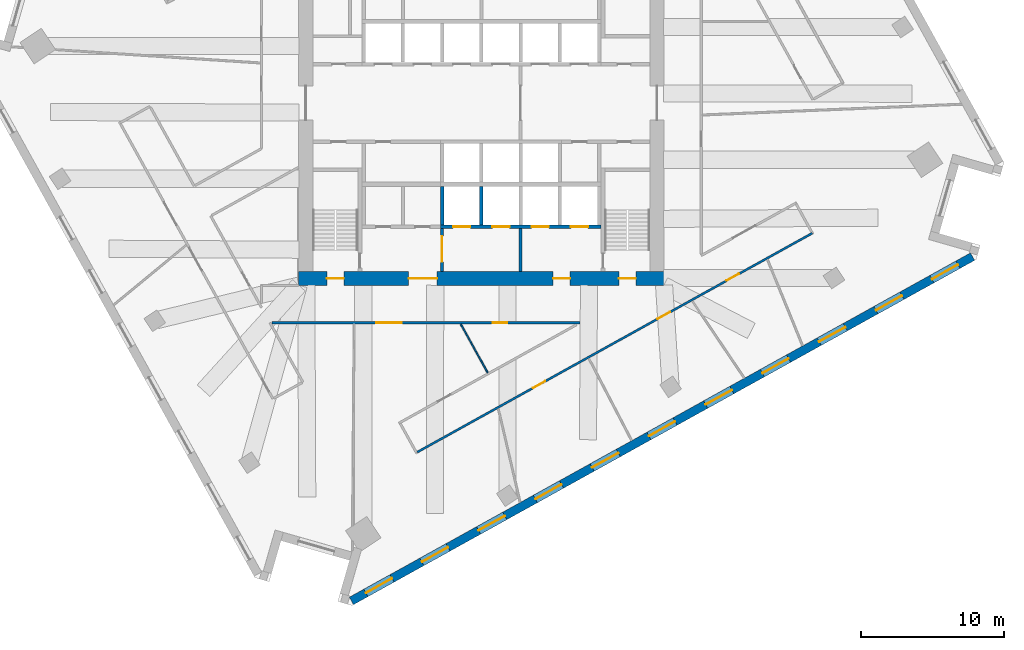
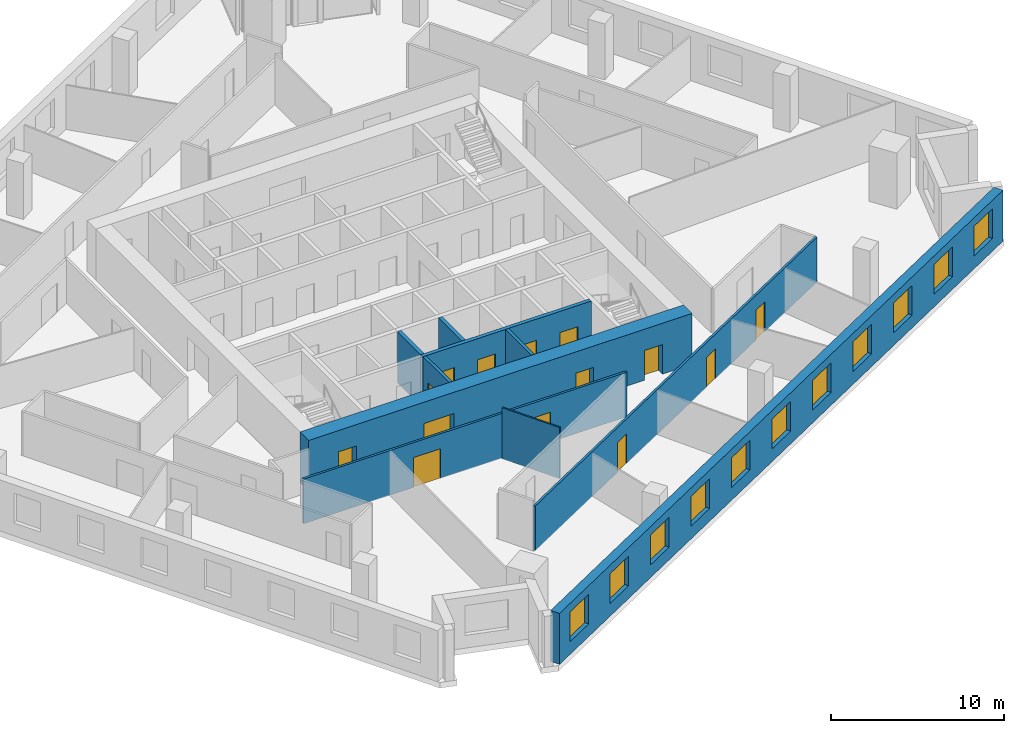
# One storey, part 5 of 11: 14 doors, 11 windows, 10 walls, 25 openings.
"""IFC4 building model written with IfcOpenShell, lengths in metres."""

from ifc_helpers import new_model, si_unit, direction, frame, frame_2d, origin, place, context, subcontext, project, spatial, rectangle, extrude, material, layer, layer_set, type_object, element, fill, save


model = new_model("IFC4")

# Units and contexts
model_context = context("Model", 3, precision=1e-05, world=origin(), true_north=direction((0.0, 1.0)))
body_context = subcontext(model_context, "Body", "Model", "MODEL_VIEW")
ifc_project = project(units=[si_unit("LENGTHUNIT", "METRE"), si_unit("AREAUNIT", "SQUARE_METRE"), si_unit("VOLUMEUNIT", "CUBIC_METRE"), si_unit("PLANEANGLEUNIT", "RADIAN"), si_unit("MASSUNIT", "GRAM", prefix="KILO")], contexts=[model_context])

# Site, building, storey
site_placement = place(None, origin())
site = spatial("IfcSite", under=ifc_project, at=site_placement, CompositionType="ELEMENT")
building_placement = place(site_placement, origin())
building = spatial("IfcBuilding", under=site, at=building_placement, Name="Dilmun Exchange Tower", CompositionType="ELEMENT")
storey_placement = place(building_placement, frame((0.0, 0.0, 135.699951171875)))
storey = spatial("IfcBuildingStorey", under=building, at=storey_placement, Name="L31", CompositionType="ELEMENT", Elevation=135.699951171875)

# Wall, opening, door
ifc_material_1 = material(Name="Concrete C40/50", Category="concrete")
ifc_layer_1 = layer(ifc_material_1, 0.199951171875)
ifc_layer_set_1 = layer_set([ifc_layer_1], Name="Concrete C40/50")
wall_type_1 = type_object("IfcWallType", Name="Core partition wall 200", PredefinedType="PARTITIONING", material=ifc_layer_set_1)
wall_1_placement = place(storey_placement, frame((-2.75, -11.794921875, 0.0), z_axis=(0.0, 0.0, 1.0), x_axis=(0.0, 1.0, 0.0)))
wall_1 = element("IfcWall", 1, at=wall_1_placement, inside=storey, type_object=wall_type_1, Name="L31 core partition wall 01", PredefinedType="PARTITIONING", context=body_context, shape_type="SweptSolid", body=[
    extrude(rectangle(XDim=2.989990234375, YDim=0.199951171875, at=frame_2d((1.4951171875, 0.0))), origin(), (0.0, 0.0, 1.0), 3.60009765625),
])
opening_1_placement = place(wall_1_placement, frame((0.657470703125, 0.0, 0.0)))
opening_1 = element("IfcOpeningElement", 2, at=opening_1_placement, cuts=wall_1, Name="Opening CD5", PredefinedType="OPENING", context=body_context, shape_type="SweptSolid", body=[
    extrude(rectangle(XDim=1.800048828125, YDim=2.10009765625, at=frame_2d((0.89990234375, 1.050048828125))), frame((0.0, 0.10986328125, 0.0), z_axis=(0.0, -1.0, 0.0), x_axis=(1.0, 0.0, 0.0)), (0.0, 0.0, 1.0), 0.219970703125),
])
ifc_material_2 = material(Name="Fire-rated steel door set", Category="steel")
door_type_1 = type_object("IfcDoorType", Name="Stair exit door 1800x2100", OperationType="SINGLE_SWING_LEFT", PredefinedType="DOOR", material=ifc_material_2)
door_1_placement = place(opening_1_placement, origin())
door_1 = element("IfcDoor", 3, at=door_1_placement, inside=storey, type_object=door_type_1, Name="L31 door Service lobby east", OperationType="SINGLE_SWING_LEFT", OverallHeight=2.10009765625, OverallWidth=1.800048828125, PredefinedType="DOOR", context=body_context, shape_type="SweptSolid", body=[
    extrude(rectangle(XDim=1.800048828125, YDim=2.10009765625, at=frame_2d((0.89990234375, 1.050048828125))), frame((0.0, 0.02490234375, 0.0), z_axis=(0.0, -1.0, 0.0), x_axis=(1.0, 0.0, 0.0)), (0.0, 0.0, 1.0), 0.050048828125),
])
fill(opening_1, door_1)

# Wall
wall_2_placement = place(storey_placement, frame((2.75, -11.794921875, 0.0), z_axis=(0.0, 0.0, 1.0), x_axis=(0.0, 1.0, 0.0)))
element("IfcWall", 4, at=wall_2_placement, inside=storey, type_object=wall_type_1, Name="L31 core partition wall 02", PredefinedType="PARTITIONING", context=body_context, shape_type="SweptSolid", body=[
    extrude(rectangle(XDim=2.989990234375, YDim=0.199951171875, at=frame_2d((1.4951171875, 0.0))), origin(), (0.0, 0.0, 1.0), 3.60009765625),
])

# Wall, openings, doors
ifc_material_3 = material(Name="Concrete C70/85", Category="concrete")
ifc_layer_2 = layer(ifc_material_3, 1.0)
ifc_layer_set_2 = layer_set([ifc_layer_2], Name="Concrete C70/85")
wall_type_2 = type_object("IfcWallType", Name="Core shear wall 1000 Concrete C70/85", PredefinedType="SHEAR", material=ifc_layer_set_2)
wall_3_placement = place(storey_placement, frame((-12.800048828125, -12.300048828125, 0.0), z_axis=(0.0, 0.0, 1.0), x_axis=(1.0, 0.0, 0.0)))
wall_3 = element("IfcWall", 5, at=wall_3_placement, inside=storey, type_object=wall_type_2, Name="L31 core shear wall S", PredefinedType="SHEAR", context=body_context, shape_type="SweptSolid", body=[
    extrude(rectangle(XDim=25.60009765625, YDim=1.0, at=frame_2d((12.800048828125, 0.0))), origin(), (0.0, 0.0, 1.0), 3.60009765625),
])
opening_2_placement = place(wall_3_placement, frame((7.699951171875, 0.0, 0.0)))
opening_2 = element("IfcOpeningElement", 6, at=opening_2_placement, cuts=wall_3, Name="Opening CD2", PredefinedType="OPENING", context=body_context, shape_type="SweptSolid", body=[
    extrude(rectangle(XDim=2.0, YDim=2.10009765625, at=frame_2d((1.0, 1.050048828125))), frame((0.0, 0.510009765625, 0.0), z_axis=(0.0, -1.0, 0.0), x_axis=(1.0, 0.0, 0.0)), (0.0, 0.0, 1.0), 1.02001953125),
])
opening_3_placement = place(wall_3_placement, frame((17.824951171875, 0.0, 0.0)))
opening_3 = element("IfcOpeningElement", 7, at=opening_3_placement, cuts=wall_3, Name="Opening CD3", PredefinedType="OPENING", context=body_context, shape_type="SweptSolid", body=[
    extrude(rectangle(XDim=1.199951171875, YDim=2.10009765625, at=frame_2d((0.60009765625, 1.050048828125))), frame((0.0, 0.510009765625, 0.0), z_axis=(0.0, -1.0, 0.0), x_axis=(1.0, 0.0, 0.0)), (0.0, 0.0, 1.0), 1.02001953125),
])
opening_4_placement = place(wall_3_placement, frame((1.97509765625, 0.0, 0.0)))
opening_4 = element("IfcOpeningElement", 8, at=opening_4_placement, cuts=wall_3, Name="Opening CD3", PredefinedType="OPENING", context=body_context, shape_type="SweptSolid", body=[
    extrude(rectangle(XDim=1.199951171875, YDim=2.10009765625, at=frame_2d((0.60009765625, 1.050048828125))), frame((0.0, 0.510009765625, 0.0), z_axis=(0.0, -1.0, 0.0), x_axis=(1.0, 0.0, 0.0)), (0.0, 0.0, 1.0), 1.02001953125),
])
opening_5_placement = place(wall_3_placement, frame((22.425048828125, 0.0, 0.0)))
opening_5 = element("IfcOpeningElement", 9, at=opening_5_placement, cuts=wall_3, Name="Opening CD3", PredefinedType="OPENING", context=body_context, shape_type="SweptSolid", body=[
    extrude(rectangle(XDim=1.199951171875, YDim=2.10009765625, at=frame_2d((0.60009765625, 1.050048828125))), frame((0.0, 0.510009765625, 0.0), z_axis=(0.0, -1.0, 0.0), x_axis=(1.0, 0.0, 0.0)), (0.0, 0.0, 1.0), 1.02001953125),
])
door_type_2 = type_object("IfcDoorType", Name="Core service door 2000x2100", OperationType="DOUBLE_DOOR_DOUBLE_SWING", PredefinedType="DOOR", material=ifc_material_2)
door_2_placement = place(opening_2_placement, origin())
door_2 = element("IfcDoor", 10, at=door_2_placement, inside=storey, type_object=door_type_2, Name="L31 door South service lobby", OperationType="SINGLE_SWING_LEFT", OverallHeight=2.10009765625, OverallWidth=2.0, PredefinedType="DOOR", context=body_context, shape_type="SweptSolid", body=[
    extrude(rectangle(XDim=2.0, YDim=2.10009765625, at=frame_2d((1.0, 1.050048828125))), frame((0.0, 0.02490234375, 0.0), z_axis=(0.0, -1.0, 0.0), x_axis=(1.0, 0.0, 0.0)), (0.0, 0.0, 1.0), 0.050048828125),
])
fill(opening_2, door_2)
door_type_3 = type_object("IfcDoorType", Name="Stair exit door 1200x2100", OperationType="SINGLE_SWING_LEFT", PredefinedType="DOOR", material=ifc_material_2)
door_3_placement = place(opening_3_placement, origin())
door_3 = element("IfcDoor", 11, at=door_3_placement, inside=storey, type_object=door_type_3, Name="L31 door Fire-fighting lobby", OperationType="SINGLE_SWING_LEFT", OverallHeight=2.10009765625, OverallWidth=1.199951171875, PredefinedType="DOOR", context=body_context, shape_type="SweptSolid", body=[
    extrude(rectangle(XDim=1.199951171875, YDim=2.10009765625, at=frame_2d((0.60009765625, 1.050048828125))), frame((0.0, 0.02490234375, 0.0), z_axis=(0.0, -1.0, 0.0), x_axis=(1.0, 0.0, 0.0)), (0.0, 0.0, 1.0), 0.050048828125),
])
fill(opening_3, door_3)
door_4_placement = place(opening_4_placement, origin())
door_4 = element("IfcDoor", 12, at=door_4_placement, inside=storey, type_object=door_type_3, Name="L31 door Stair ST2", OperationType="SINGLE_SWING_LEFT", OverallHeight=2.10009765625, OverallWidth=1.199951171875, PredefinedType="DOOR", context=body_context, shape_type="SweptSolid", body=[
    extrude(rectangle(XDim=1.199951171875, YDim=2.10009765625, at=frame_2d((0.60009765625, 1.050048828125))), frame((0.0, 0.02490234375, 0.0), z_axis=(0.0, -1.0, 0.0), x_axis=(1.0, 0.0, 0.0)), (0.0, 0.0, 1.0), 0.050048828125),
])
fill(opening_4, door_4)
door_5_placement = place(opening_5_placement, origin())
door_5 = element("IfcDoor", 13, at=door_5_placement, inside=storey, type_object=door_type_3, Name="L31 door Stair ST3", OperationType="SINGLE_SWING_LEFT", OverallHeight=2.10009765625, OverallWidth=1.199951171875, PredefinedType="DOOR", context=body_context, shape_type="SweptSolid", body=[
    extrude(rectangle(XDim=1.199951171875, YDim=2.10009765625, at=frame_2d((0.60009765625, 1.050048828125))), frame((0.0, 0.02490234375, 0.0), z_axis=(0.0, -1.0, 0.0), x_axis=(1.0, 0.0, 0.0)), (0.0, 0.0, 1.0), 0.050048828125),
])
fill(opening_5, door_5)

ifc_material_4 = material(Name="Corridor wall 150")
ifc_layer_3 = layer(ifc_material_4, 0.14990234375)
ifc_layer_set_3 = layer_set([ifc_layer_3], Name="Corridor wall 150")
wall_type_3 = type_object("IfcWallType", Name="Corridor wall 150", PredefinedType="PARTITIONING", material=ifc_layer_set_3)
wall_4_placement = place(storey_placement, frame((-14.68359375, -15.39990234375, 0.0), z_axis=(0.0, 0.0, 1.0), x_axis=(1.0, 0.0, 0.0)))
wall_4 = element("IfcWall", 14, at=wall_4_placement, inside=storey, type_object=wall_type_3, Name="Corridor wall", PredefinedType="PARTITIONING", context=body_context, shape_type="SweptSolid", body=[
    extrude(rectangle(XDim=21.595703125, YDim=0.14990234375, at=frame_2d((10.7978515625, 0.0))), origin(), (0.0, 0.0, 1.0), 3.150146484375),
])
opening_6_placement = place(wall_4_placement, frame((7.322265625, 0.0, 0.0)))
opening_6 = element("IfcOpeningElement", 15, at=opening_6_placement, cuts=wall_4, Name="Opening TF31-D10", PredefinedType="OPENING", context=body_context, shape_type="SweptSolid", body=[
    extrude(rectangle(XDim=1.800048828125, YDim=2.10009765625, at=frame_2d((0.89990234375, 1.050048828125))), frame((0.0, 0.0849609375, 0.0), z_axis=(0.0, -1.0, 0.0), x_axis=(1.0, 0.0, 0.0)), (0.0, 0.0, 1.0), 0.169921875),
])
opening_7_placement = place(wall_4_placement, frame((15.4873046875, 0.0, 0.0)))
opening_7 = element("IfcOpeningElement", 16, at=opening_7_placement, cuts=wall_4, Name="Opening TF31-D13", PredefinedType="OPENING", context=body_context, shape_type="SweptSolid", body=[
    extrude(rectangle(XDim=1.0, YDim=2.10009765625, at=frame_2d((0.5, 1.050048828125))), frame((0.0, 0.0849609375, 0.0), z_axis=(0.0, -1.0, 0.0), x_axis=(1.0, 0.0, 0.0)), (0.0, 0.0, 1.0), 0.169921875),
])
ifc_material_5 = material(Name="Fire door 1000 x 2100")
door_type_4 = type_object("IfcDoorType", Name="Fire door 1000 x 2100", OperationType="NOTDEFINED", PredefinedType="DOOR", material=ifc_material_5)
door_6_placement = place(opening_7_placement, frame((1.0, 0.0, 0.0), z_axis=(0.0, 0.0, 1.0), x_axis=(-1.0, 0.0, 0.0)))
door_6 = element("IfcDoor", 17, at=door_6_placement, inside=storey, type_object=door_type_4, Name="Door TF31-D13", OperationType="SINGLE_SWING_LEFT", OverallHeight=2.10009765625, OverallWidth=1.0, PredefinedType="DOOR", context=body_context, shape_type="SweptSolid", body=[
    extrude(rectangle(XDim=1.0, YDim=2.10009765625, at=frame_2d((0.5, 1.050048828125))), frame((0.0, 0.02490234375, 0.0), z_axis=(0.0, -1.0, 0.0), x_axis=(1.0, 0.0, 0.0)), (0.0, 0.0, 1.0), 0.050048828125),
])
fill(opening_7, door_6)
ifc_material_6 = material(Name="Fire door pair 1800 x 2100")
door_type_5 = type_object("IfcDoorType", Name="Fire door pair 1800 x 2100", OperationType="NOTDEFINED", PredefinedType="DOOR", material=ifc_material_6)
door_7_placement = place(opening_6_placement, frame((1.800048828125, 0.0, 0.0), z_axis=(0.0, 0.0, 1.0), x_axis=(-1.0, 0.0, 0.0)))
door_7 = element("IfcDoor", 18, at=door_7_placement, inside=storey, type_object=door_type_5, Name="Door TF31-D10", OperationType="DOUBLE_DOOR_SINGLE_SWING", OverallHeight=2.10009765625, OverallWidth=1.800048828125, PredefinedType="DOOR", context=body_context, shape_type="SweptSolid", body=[
    extrude(rectangle(XDim=1.800048828125, YDim=2.10009765625, at=frame_2d((0.89990234375, 1.050048828125))), frame((0.0, 0.02490234375, 0.0), z_axis=(0.0, -1.0, 0.0), x_axis=(1.0, 0.0, 0.0)), (0.0, 0.0, 1.0), 0.050048828125),
])
fill(opening_6, door_7)

wall_5_placement = place(storey_placement, frame((-4.484375, -24.461669921875, 0.0), z_axis=(0.0, 0.0, 1.0), x_axis=(0.874618059696, 0.484812592301, 0.0)))
wall_5 = element("IfcWall", 19, at=wall_5_placement, inside=storey, type_object=wall_type_3, Name="Corridor wall", PredefinedType="PARTITIONING", context=body_context, shape_type="SweptSolid", body=[
    extrude(rectangle(XDim=31.63818359375, YDim=0.14990234375, at=frame_2d((15.819091796875, 0.0))), origin(), (0.0, 0.0, 1.0), 3.150146484375),
])
opening_8_placement = place(wall_5_placement, frame((9.25, 0.0, 0.0)))
opening_8 = element("IfcOpeningElement", 20, at=opening_8_placement, cuts=wall_5, Name="Opening TF31-D14", PredefinedType="OPENING", context=body_context, shape_type="SweptSolid", body=[
    extrude(rectangle(XDim=1.0, YDim=2.10009765625, at=frame_2d((0.5, 1.050048828125))), frame((0.0, 0.0849609375, 0.0), z_axis=(0.0, -1.0, 0.0), x_axis=(1.0, 0.0, 0.0)), (0.0, 0.0, 1.0), 0.169921875),
])
opening_9_placement = place(wall_5_placement, frame((19.23876953125, 0.0, 0.0)))
opening_9 = element("IfcOpeningElement", 21, at=opening_9_placement, cuts=wall_5, Name="Opening TF31-D17", PredefinedType="OPENING", context=body_context, shape_type="SweptSolid", body=[
    extrude(rectangle(XDim=1.0, YDim=2.10009765625, at=frame_2d((0.5, 1.050048828125))), frame((0.0, 0.0849609375, 0.0), z_axis=(0.0, -1.0, 0.0), x_axis=(1.0, 0.0, 0.0)), (0.0, 0.0, 1.0), 0.169921875),
])
opening_10_placement = place(wall_5_placement, frame((24.7724609375, 0.0, 0.0)))
opening_10 = element("IfcOpeningElement", 22, at=opening_10_placement, cuts=wall_5, Name="Opening TF31-D19", PredefinedType="OPENING", context=body_context, shape_type="SweptSolid", body=[
    extrude(rectangle(XDim=1.0, YDim=2.10009765625, at=frame_2d((0.5, 1.050048828125))), frame((0.0, 0.0849609375, 0.0), z_axis=(0.0, -1.0, 0.0), x_axis=(1.0, 0.0, 0.0)), (0.0, 0.0, 1.0), 0.169921875),
])
door_8_placement = place(opening_8_placement, frame((1.0, 0.0, 0.0), z_axis=(0.0, 0.0, 1.0), x_axis=(-1.0, 0.0, 0.0)))
door_8 = element("IfcDoor", 23, at=door_8_placement, inside=storey, type_object=door_type_4, Name="Door TF31-D14", OperationType="SINGLE_SWING_RIGHT", OverallHeight=2.10009765625, OverallWidth=1.0, PredefinedType="DOOR", context=body_context, shape_type="SweptSolid", body=[
    extrude(rectangle(XDim=1.0, YDim=2.10009765625, at=frame_2d((0.5, 1.050048828125))), frame((0.0, 0.02490234375, 0.0), z_axis=(0.0, -1.0, 0.0), x_axis=(1.0, 0.0, 0.0)), (0.0, 0.0, 1.0), 0.050048828125),
])
fill(opening_8, door_8)
door_9_placement = place(opening_9_placement, frame((1.0, 0.0, 0.0), z_axis=(0.0, 0.0, 1.0), x_axis=(-1.0, 0.0, 0.0)))
door_9 = element("IfcDoor", 24, at=door_9_placement, inside=storey, type_object=door_type_4, Name="Door TF31-D17", OperationType="SINGLE_SWING_RIGHT", OverallHeight=2.10009765625, OverallWidth=1.0, PredefinedType="DOOR", context=body_context, shape_type="SweptSolid", body=[
    extrude(rectangle(XDim=1.0, YDim=2.10009765625, at=frame_2d((0.5, 1.050048828125))), frame((0.0, 0.02490234375, 0.0), z_axis=(0.0, -1.0, 0.0), x_axis=(1.0, 0.0, 0.0)), (0.0, 0.0, 1.0), 0.050048828125),
])
fill(opening_9, door_9)
door_10_placement = place(opening_10_placement, frame((1.0, 0.0, 0.0), z_axis=(0.0, 0.0, 1.0), x_axis=(-1.0, 0.0, 0.0)))
door_10 = element("IfcDoor", 25, at=door_10_placement, inside=storey, type_object=door_type_4, Name="Door TF31-D19", OperationType="SINGLE_SWING_RIGHT", OverallHeight=2.10009765625, OverallWidth=1.0, PredefinedType="DOOR", context=body_context, shape_type="SweptSolid", body=[
    extrude(rectangle(XDim=1.0, YDim=2.10009765625, at=frame_2d((0.5, 1.050048828125))), frame((0.0, 0.02490234375, 0.0), z_axis=(0.0, -1.0, 0.0), x_axis=(1.0, 0.0, 0.0)), (0.0, 0.0, 1.0), 0.050048828125),
])
fill(opening_10, door_10)

ifc_layer_4 = layer(ifc_material_1, 0.25)
ifc_layer_set_4 = layer_set([ifc_layer_4], Name="Concrete C40/50")
wall_type_4 = type_object("IfcWallType", Name="Lift shaft wall 250", PredefinedType="SOLIDWALL", material=ifc_layer_set_4)
wall_6_placement = place(storey_placement, frame((-2.875, -8.675048828125, 0.0), z_axis=(0.0, 0.0, 1.0), x_axis=(1.0, 0.0, 0.0)))
wall_6 = element("IfcWall", 26, at=wall_6_placement, inside=storey, type_object=wall_type_4, Name="L31 lift shaft front wall S2", PredefinedType="SOLIDWALL", context=body_context, shape_type="SweptSolid", body=[
    extrude(rectangle(XDim=11.25, YDim=0.25, at=frame_2d((5.625, 0.0))), origin(), (0.0, 0.0, 1.0), 3.60009765625),
])
opening_11_placement = place(wall_6_placement, frame((0.89990234375, 0.0, 0.0)))
opening_11 = element("IfcOpeningElement", 27, at=opening_11_placement, cuts=wall_6, Name="Opening LD", PredefinedType="OPENING", context=body_context, shape_type="SweptSolid", body=[
    extrude(rectangle(XDim=1.199951171875, YDim=2.10009765625, at=frame_2d((0.60009765625, 1.050048828125))), frame((0.0, 0.135009765625, 0.0), z_axis=(0.0, -1.0, 0.0), x_axis=(1.0, 0.0, 0.0)), (0.0, 0.0, 1.0), 0.27001953125),
])
opening_12_placement = place(wall_6_placement, frame((3.64990234375, 0.0, 0.0)))
opening_12 = element("IfcOpeningElement", 28, at=opening_12_placement, cuts=wall_6, Name="Opening LD", PredefinedType="OPENING", context=body_context, shape_type="SweptSolid", body=[
    extrude(rectangle(XDim=1.199951171875, YDim=2.10009765625, at=frame_2d((0.60009765625, 1.050048828125))), frame((0.0, 0.135009765625, 0.0), z_axis=(0.0, -1.0, 0.0), x_axis=(1.0, 0.0, 0.0)), (0.0, 0.0, 1.0), 0.27001953125),
])
opening_13_placement = place(wall_6_placement, frame((6.39990234375, 0.0, 0.0)))
opening_13 = element("IfcOpeningElement", 29, at=opening_13_placement, cuts=wall_6, Name="Opening LD", PredefinedType="OPENING", context=body_context, shape_type="SweptSolid", body=[
    extrude(rectangle(XDim=1.199951171875, YDim=2.10009765625, at=frame_2d((0.60009765625, 1.050048828125))), frame((0.0, 0.135009765625, 0.0), z_axis=(0.0, -1.0, 0.0), x_axis=(1.0, 0.0, 0.0)), (0.0, 0.0, 1.0), 0.27001953125),
])
opening_14_placement = place(wall_6_placement, frame((9.14990234375, 0.0, 0.0)))
opening_14 = element("IfcOpeningElement", 30, at=opening_14_placement, cuts=wall_6, Name="Opening LD", PredefinedType="OPENING", context=body_context, shape_type="SweptSolid", body=[
    extrude(rectangle(XDim=1.199951171875, YDim=2.10009765625, at=frame_2d((0.60009765625, 1.050048828125))), frame((0.0, 0.135009765625, 0.0), z_axis=(0.0, -1.0, 0.0), x_axis=(1.0, 0.0, 0.0)), (0.0, 0.0, 1.0), 0.27001953125),
])
door_type_6 = type_object("IfcDoorType", Name="Lift landing door 1200x2100", OperationType="DOUBLE_DOOR_SLIDING", PredefinedType="DOOR", material=ifc_material_2)
door_11_placement = place(opening_11_placement, origin())
door_11 = element("IfcDoor", 31, at=door_11_placement, inside=storey, type_object=door_type_6, Name="L31 landing door SV1", OperationType="DOUBLE_DOOR_SLIDING", OverallHeight=2.10009765625, OverallWidth=1.199951171875, PredefinedType="DOOR", context=body_context, shape_type="SweptSolid", body=[
    extrude(rectangle(XDim=1.199951171875, YDim=2.10009765625, at=frame_2d((0.60009765625, 1.050048828125))), frame((0.0, 0.02490234375, 0.0), z_axis=(0.0, -1.0, 0.0), x_axis=(1.0, 0.0, 0.0)), (0.0, 0.0, 1.0), 0.050048828125),
])
fill(opening_11, door_11)
door_12_placement = place(opening_12_placement, origin())
door_12 = element("IfcDoor", 32, at=door_12_placement, inside=storey, type_object=door_type_6, Name="L31 landing door SV2", OperationType="DOUBLE_DOOR_SLIDING", OverallHeight=2.10009765625, OverallWidth=1.199951171875, PredefinedType="DOOR", context=body_context, shape_type="SweptSolid", body=[
    extrude(rectangle(XDim=1.199951171875, YDim=2.10009765625, at=frame_2d((0.60009765625, 1.050048828125))), frame((0.0, 0.02490234375, 0.0), z_axis=(0.0, -1.0, 0.0), x_axis=(1.0, 0.0, 0.0)), (0.0, 0.0, 1.0), 0.050048828125),
])
fill(opening_12, door_12)
door_13_placement = place(opening_13_placement, origin())
door_13 = element("IfcDoor", 33, at=door_13_placement, inside=storey, type_object=door_type_6, Name="L31 landing door FF1", OperationType="DOUBLE_DOOR_SLIDING", OverallHeight=2.10009765625, OverallWidth=1.199951171875, PredefinedType="DOOR", context=body_context, shape_type="SweptSolid", body=[
    extrude(rectangle(XDim=1.199951171875, YDim=2.10009765625, at=frame_2d((0.60009765625, 1.050048828125))), frame((0.0, 0.02490234375, 0.0), z_axis=(0.0, -1.0, 0.0), x_axis=(1.0, 0.0, 0.0)), (0.0, 0.0, 1.0), 0.050048828125),
])
fill(opening_13, door_13)
door_14_placement = place(opening_14_placement, origin())
door_14 = element("IfcDoor", 34, at=door_14_placement, inside=storey, type_object=door_type_6, Name="L31 landing door FF2", OperationType="DOUBLE_DOOR_SLIDING", OverallHeight=2.10009765625, OverallWidth=1.199951171875, PredefinedType="DOOR", context=body_context, shape_type="SweptSolid", body=[
    extrude(rectangle(XDim=1.199951171875, YDim=2.10009765625, at=frame_2d((0.60009765625, 1.050048828125))), frame((0.0, 0.02490234375, 0.0), z_axis=(0.0, -1.0, 0.0), x_axis=(1.0, 0.0, 0.0)), (0.0, 0.0, 1.0), 0.050048828125),
])
fill(opening_14, door_14)

# Walls
for number, where, z_axis, x_axis, name in (
    (35, (-2.75, -8.550048828125, 0.0), (0.0, 0.0, 1.0), (0.0, 1.0, 0.0), "L31 lift shaft divider S22"),
    (36, (0.0, -8.550048828125, 0.0), (0.0, 0.0, 1.0), (0.0, 1.0, 0.0), "L31 lift shaft divider S23"),
):
    element("IfcWall", number, at=place(storey_placement, frame(where, z_axis=z_axis, x_axis=x_axis)), inside=storey, type_object=wall_type_4, Name=name, PredefinedType="SOLIDWALL", context=body_context, shape_type="SweptSolid", body=[
        extrude(rectangle(XDim=2.699951171875, YDim=0.25, at=frame_2d((1.35009765625, 0.0))), origin(), (0.0, 0.0, 1.0), 3.60009765625),
    ])
ifc_material_7 = material(Name="Partition 100")
ifc_layer_5 = layer(ifc_material_7, 0.10009765625)
ifc_layer_set_5 = layer_set([ifc_layer_5], Name="Partition 100")
wall_type_5 = type_object("IfcWallType", Name="Partition 100", PredefinedType="PARTITIONING", material=ifc_layer_set_5)
wall_7_placement = place(storey_placement, frame((-1.44091796875, -15.499267578125, 0.0), z_axis=(0.0, 0.0, 1.0), x_axis=(0.484661708709, -0.874701679495, 0.0)))
element("IfcWall", 37, at=wall_7_placement, inside=storey, type_object=wall_type_5, Name="Partition", PredefinedType="PARTITIONING", context=body_context, shape_type="SweptSolid", body=[
    extrude(rectangle(XDim=3.888427734375, YDim=0.10009765625, at=frame_2d((1.9443359375, 0.0))), origin(), (0.0, 0.0, 1.0), 3.60009765625),
])

# Wall, openings, windows
ifc_material_8 = material(Name="Precast concrete C50/60", Category="concrete")
ifc_layer_6 = layer(ifc_material_8, 0.60009765625)
ifc_layer_set_6 = layer_set([ifc_layer_6], Name="Precast concrete C50/60")
wall_type_6 = type_object("IfcWallType", Name="Precast stone-clad wall 600", PredefinedType="STANDARD", material=ifc_layer_set_6)
wall_8_placement = place(storey_placement, frame((-9.103271484375, -34.8876953125, 0.0), z_axis=(0.0, 0.0, 1.0), x_axis=(0.874618897425, 0.484811081007, 0.0)))
wall_8 = element("IfcWall", 38, at=wall_8_placement, inside=storey, type_object=wall_type_6, Name="Facade wall L31-15", PredefinedType="STANDARD", context=body_context, shape_type="SweptSolid", body=[
    extrude(rectangle(XDim=49.75146484375, YDim=0.60009765625, at=frame_2d((24.875732421875, 0.0))), origin(), (0.0, 0.0, 1.0), 3.60009765625),
])
opening_15_placement = place(wall_8_placement, frame((1.16064453125, 0.0, 0.89990234375)))
opening_15 = element("IfcOpeningElement", 39, at=opening_15_placement, cuts=wall_8, Name="Opening W210-210", PredefinedType="OPENING", context=body_context, shape_type="SweptSolid", body=[
    extrude(rectangle(XDim=2.10009765625, YDim=2.10009765625, at=frame_2d((1.050048828125, 1.050048828125))), frame((0.0, 0.31005859375, 0.0), z_axis=(0.0, -1.0, 0.0), x_axis=(1.0, 0.0, 0.0)), (0.0, 0.0, 1.0), 0.6201171875),
])
opening_16_placement = place(wall_8_placement, frame((5.643798828125, 0.0, 0.89990234375)))
opening_16 = element("IfcOpeningElement", 40, at=opening_16_placement, cuts=wall_8, Name="Opening W210-210", PredefinedType="OPENING", context=body_context, shape_type="SweptSolid", body=[
    extrude(rectangle(XDim=2.10009765625, YDim=2.10009765625, at=frame_2d((1.050048828125, 1.050048828125))), frame((0.0, 0.31005859375, 0.0), z_axis=(0.0, -1.0, 0.0), x_axis=(1.0, 0.0, 0.0)), (0.0, 0.0, 1.0), 0.6201171875),
])
opening_17_placement = place(wall_8_placement, frame((10.189453125, 0.0, 0.89990234375)))
opening_17 = element("IfcOpeningElement", 41, at=opening_17_placement, cuts=wall_8, Name="Opening W210-210", PredefinedType="OPENING", context=body_context, shape_type="SweptSolid", body=[
    extrude(rectangle(XDim=2.10009765625, YDim=2.10009765625, at=frame_2d((1.050048828125, 1.050048828125))), frame((0.0, 0.31005859375, 0.0), z_axis=(0.0, -1.0, 0.0), x_axis=(1.0, 0.0, 0.0)), (0.0, 0.0, 1.0), 0.6201171875),
])
opening_18_placement = place(wall_8_placement, frame((14.73486328125, 0.0, 0.89990234375)))
opening_18 = element("IfcOpeningElement", 42, at=opening_18_placement, cuts=wall_8, Name="Opening W210-210", PredefinedType="OPENING", context=body_context, shape_type="SweptSolid", body=[
    extrude(rectangle(XDim=2.10009765625, YDim=2.10009765625, at=frame_2d((1.050048828125, 1.050048828125))), frame((0.0, 0.31005859375, 0.0), z_axis=(0.0, -1.0, 0.0), x_axis=(1.0, 0.0, 0.0)), (0.0, 0.0, 1.0), 0.6201171875),
])
opening_19_placement = place(wall_8_placement, frame((19.2802734375, 0.0, 0.89990234375)))
opening_19 = element("IfcOpeningElement", 43, at=opening_19_placement, cuts=wall_8, Name="Opening W210-210", PredefinedType="OPENING", context=body_context, shape_type="SweptSolid", body=[
    extrude(rectangle(XDim=2.10009765625, YDim=2.10009765625, at=frame_2d((1.050048828125, 1.050048828125))), frame((0.0, 0.31005859375, 0.0), z_axis=(0.0, -1.0, 0.0), x_axis=(1.0, 0.0, 0.0)), (0.0, 0.0, 1.0), 0.6201171875),
])
opening_20_placement = place(wall_8_placement, frame((23.82568359375, 0.0, 0.89990234375)))
opening_20 = element("IfcOpeningElement", 44, at=opening_20_placement, cuts=wall_8, Name="Opening W210-210", PredefinedType="OPENING", context=body_context, shape_type="SweptSolid", body=[
    extrude(rectangle(XDim=2.10009765625, YDim=2.10009765625, at=frame_2d((1.050048828125, 1.050048828125))), frame((0.0, 0.31005859375, 0.0), z_axis=(0.0, -1.0, 0.0), x_axis=(1.0, 0.0, 0.0)), (0.0, 0.0, 1.0), 0.6201171875),
])
opening_21_placement = place(wall_8_placement, frame((28.37109375, 0.0, 0.89990234375)))
opening_21 = element("IfcOpeningElement", 45, at=opening_21_placement, cuts=wall_8, Name="Opening W210-210", PredefinedType="OPENING", context=body_context, shape_type="SweptSolid", body=[
    extrude(rectangle(XDim=2.10009765625, YDim=2.10009765625, at=frame_2d((1.050048828125, 1.050048828125))), frame((0.0, 0.31005859375, 0.0), z_axis=(0.0, -1.0, 0.0), x_axis=(1.0, 0.0, 0.0)), (0.0, 0.0, 1.0), 0.6201171875),
])
opening_22_placement = place(wall_8_placement, frame((32.91650390625, 0.0, 0.89990234375)))
opening_22 = element("IfcOpeningElement", 46, at=opening_22_placement, cuts=wall_8, Name="Opening W210-210", PredefinedType="OPENING", context=body_context, shape_type="SweptSolid", body=[
    extrude(rectangle(XDim=2.10009765625, YDim=2.10009765625, at=frame_2d((1.050048828125, 1.050048828125))), frame((0.0, 0.31005859375, 0.0), z_axis=(0.0, -1.0, 0.0), x_axis=(1.0, 0.0, 0.0)), (0.0, 0.0, 1.0), 0.6201171875),
])
opening_23_placement = place(wall_8_placement, frame((37.462158203125, 0.0, 0.89990234375)))
opening_23 = element("IfcOpeningElement", 47, at=opening_23_placement, cuts=wall_8, Name="Opening W210-210", PredefinedType="OPENING", context=body_context, shape_type="SweptSolid", body=[
    extrude(rectangle(XDim=2.10009765625, YDim=2.10009765625, at=frame_2d((1.050048828125, 1.050048828125))), frame((0.0, 0.31005859375, 0.0), z_axis=(0.0, -1.0, 0.0), x_axis=(1.0, 0.0, 0.0)), (0.0, 0.0, 1.0), 0.6201171875),
])
opening_24_placement = place(wall_8_placement, frame((42.007568359375, 0.0, 0.89990234375)))
opening_24 = element("IfcOpeningElement", 48, at=opening_24_placement, cuts=wall_8, Name="Opening W210-210", PredefinedType="OPENING", context=body_context, shape_type="SweptSolid", body=[
    extrude(rectangle(XDim=2.10009765625, YDim=2.10009765625, at=frame_2d((1.050048828125, 1.050048828125))), frame((0.0, 0.31005859375, 0.0), z_axis=(0.0, -1.0, 0.0), x_axis=(1.0, 0.0, 0.0)), (0.0, 0.0, 1.0), 0.6201171875),
])
opening_25_placement = place(wall_8_placement, frame((46.490966796875, 0.0, 0.89990234375)))
opening_25 = element("IfcOpeningElement", 49, at=opening_25_placement, cuts=wall_8, Name="Opening W210-210", PredefinedType="OPENING", context=body_context, shape_type="SweptSolid", body=[
    extrude(rectangle(XDim=2.10009765625, YDim=2.10009765625, at=frame_2d((1.050048828125, 1.050048828125))), frame((0.0, 0.31005859375, 0.0), z_axis=(0.0, -1.0, 0.0), x_axis=(1.0, 0.0, 0.0)), (0.0, 0.0, 1.0), 0.6201171875),
])
ifc_material_9 = material(Name="Clear low-emissivity glass in aluminium frame", Category="aluminium")
window_type = type_object("IfcWindowType", Name="Punched window 2100 x 2100", PartitioningType="DOUBLE_PANEL_VERTICAL", PredefinedType="WINDOW", material=ifc_material_9)
window_1_placement = place(opening_15_placement, origin())
window_1 = element("IfcWindow", 50, at=window_1_placement, inside=storey, type_object=window_type, Name="Window 16.1", OverallHeight=2.10009765625, OverallWidth=2.10009765625, PartitioningType="SINGLE_PANEL", PredefinedType="WINDOW", context=body_context, shape_type="SweptSolid", body=[
    extrude(rectangle(XDim=2.10009765625, YDim=2.10009765625, at=frame_2d((1.050048828125, 1.050048828125))), frame((0.0, 0.030029296875, 0.0), z_axis=(0.0, -1.0, 0.0), x_axis=(1.0, 0.0, 0.0)), (0.0, 0.0, 1.0), 0.06005859375),
])
fill(opening_15, window_1)
window_2_placement = place(opening_16_placement, origin())
window_2 = element("IfcWindow", 51, at=window_2_placement, inside=storey, type_object=window_type, Name="Window 16.2", OverallHeight=2.10009765625, OverallWidth=2.10009765625, PartitioningType="SINGLE_PANEL", PredefinedType="WINDOW", context=body_context, shape_type="SweptSolid", body=[
    extrude(rectangle(XDim=2.10009765625, YDim=2.10009765625, at=frame_2d((1.050048828125, 1.050048828125))), frame((0.0, 0.030029296875, 0.0), z_axis=(0.0, -1.0, 0.0), x_axis=(1.0, 0.0, 0.0)), (0.0, 0.0, 1.0), 0.06005859375),
])
fill(opening_16, window_2)
window_3_placement = place(opening_17_placement, origin())
window_3 = element("IfcWindow", 52, at=window_3_placement, inside=storey, type_object=window_type, Name="Window 16.3", OverallHeight=2.10009765625, OverallWidth=2.10009765625, PartitioningType="SINGLE_PANEL", PredefinedType="WINDOW", context=body_context, shape_type="SweptSolid", body=[
    extrude(rectangle(XDim=2.10009765625, YDim=2.10009765625, at=frame_2d((1.050048828125, 1.050048828125))), frame((0.0, 0.030029296875, 0.0), z_axis=(0.0, -1.0, 0.0), x_axis=(1.0, 0.0, 0.0)), (0.0, 0.0, 1.0), 0.06005859375),
])
fill(opening_17, window_3)
window_4_placement = place(opening_18_placement, origin())
window_4 = element("IfcWindow", 53, at=window_4_placement, inside=storey, type_object=window_type, Name="Window 16.4", OverallHeight=2.10009765625, OverallWidth=2.10009765625, PartitioningType="SINGLE_PANEL", PredefinedType="WINDOW", context=body_context, shape_type="SweptSolid", body=[
    extrude(rectangle(XDim=2.10009765625, YDim=2.10009765625, at=frame_2d((1.050048828125, 1.050048828125))), frame((0.0, 0.030029296875, 0.0), z_axis=(0.0, -1.0, 0.0), x_axis=(1.0, 0.0, 0.0)), (0.0, 0.0, 1.0), 0.06005859375),
])
fill(opening_18, window_4)
window_5_placement = place(opening_19_placement, origin())
window_5 = element("IfcWindow", 54, at=window_5_placement, inside=storey, type_object=window_type, Name="Window 16.5", OverallHeight=2.10009765625, OverallWidth=2.10009765625, PartitioningType="SINGLE_PANEL", PredefinedType="WINDOW", context=body_context, shape_type="SweptSolid", body=[
    extrude(rectangle(XDim=2.10009765625, YDim=2.10009765625, at=frame_2d((1.050048828125, 1.050048828125))), frame((0.0, 0.030029296875, 0.0), z_axis=(0.0, -1.0, 0.0), x_axis=(1.0, 0.0, 0.0)), (0.0, 0.0, 1.0), 0.06005859375),
])
fill(opening_19, window_5)
window_6_placement = place(opening_20_placement, origin())
window_6 = element("IfcWindow", 55, at=window_6_placement, inside=storey, type_object=window_type, Name="Window 16.6", OverallHeight=2.10009765625, OverallWidth=2.10009765625, PartitioningType="SINGLE_PANEL", PredefinedType="WINDOW", context=body_context, shape_type="SweptSolid", body=[
    extrude(rectangle(XDim=2.10009765625, YDim=2.10009765625, at=frame_2d((1.050048828125, 1.050048828125))), frame((0.0, 0.030029296875, 0.0), z_axis=(0.0, -1.0, 0.0), x_axis=(1.0, 0.0, 0.0)), (0.0, 0.0, 1.0), 0.06005859375),
])
fill(opening_20, window_6)
window_7_placement = place(opening_21_placement, origin())
window_7 = element("IfcWindow", 56, at=window_7_placement, inside=storey, type_object=window_type, Name="Window 16.7", OverallHeight=2.10009765625, OverallWidth=2.10009765625, PartitioningType="SINGLE_PANEL", PredefinedType="WINDOW", context=body_context, shape_type="SweptSolid", body=[
    extrude(rectangle(XDim=2.10009765625, YDim=2.10009765625, at=frame_2d((1.050048828125, 1.050048828125))), frame((0.0, 0.030029296875, 0.0), z_axis=(0.0, -1.0, 0.0), x_axis=(1.0, 0.0, 0.0)), (0.0, 0.0, 1.0), 0.06005859375),
])
fill(opening_21, window_7)
window_8_placement = place(opening_22_placement, origin())
window_8 = element("IfcWindow", 57, at=window_8_placement, inside=storey, type_object=window_type, Name="Window 16.8", OverallHeight=2.10009765625, OverallWidth=2.10009765625, PartitioningType="SINGLE_PANEL", PredefinedType="WINDOW", context=body_context, shape_type="SweptSolid", body=[
    extrude(rectangle(XDim=2.10009765625, YDim=2.10009765625, at=frame_2d((1.050048828125, 1.050048828125))), frame((0.0, 0.030029296875, 0.0), z_axis=(0.0, -1.0, 0.0), x_axis=(1.0, 0.0, 0.0)), (0.0, 0.0, 1.0), 0.06005859375),
])
fill(opening_22, window_8)
window_9_placement = place(opening_23_placement, origin())
window_9 = element("IfcWindow", 58, at=window_9_placement, inside=storey, type_object=window_type, Name="Window 16.9", OverallHeight=2.10009765625, OverallWidth=2.10009765625, PartitioningType="SINGLE_PANEL", PredefinedType="WINDOW", context=body_context, shape_type="SweptSolid", body=[
    extrude(rectangle(XDim=2.10009765625, YDim=2.10009765625, at=frame_2d((1.050048828125, 1.050048828125))), frame((0.0, 0.030029296875, 0.0), z_axis=(0.0, -1.0, 0.0), x_axis=(1.0, 0.0, 0.0)), (0.0, 0.0, 1.0), 0.06005859375),
])
fill(opening_23, window_9)
window_10_placement = place(opening_24_placement, origin())
window_10 = element("IfcWindow", 59, at=window_10_placement, inside=storey, type_object=window_type, Name="Window 16.10", OverallHeight=2.10009765625, OverallWidth=2.10009765625, PartitioningType="SINGLE_PANEL", PredefinedType="WINDOW", context=body_context, shape_type="SweptSolid", body=[
    extrude(rectangle(XDim=2.10009765625, YDim=2.10009765625, at=frame_2d((1.050048828125, 1.050048828125))), frame((0.0, 0.030029296875, 0.0), z_axis=(0.0, -1.0, 0.0), x_axis=(1.0, 0.0, 0.0)), (0.0, 0.0, 1.0), 0.06005859375),
])
fill(opening_24, window_10)
window_11_placement = place(opening_25_placement, origin())
window_11 = element("IfcWindow", 60, at=window_11_placement, inside=storey, type_object=window_type, Name="Window 16.11", OverallHeight=2.10009765625, OverallWidth=2.10009765625, PartitioningType="SINGLE_PANEL", PredefinedType="WINDOW", context=body_context, shape_type="SweptSolid", body=[
    extrude(rectangle(XDim=2.10009765625, YDim=2.10009765625, at=frame_2d((1.050048828125, 1.050048828125))), frame((0.0, 0.030029296875, 0.0), z_axis=(0.0, -1.0, 0.0), x_axis=(1.0, 0.0, 0.0)), (0.0, 0.0, 1.0), 0.06005859375),
])
fill(opening_25, window_11)

save(model, "model.ifc")
